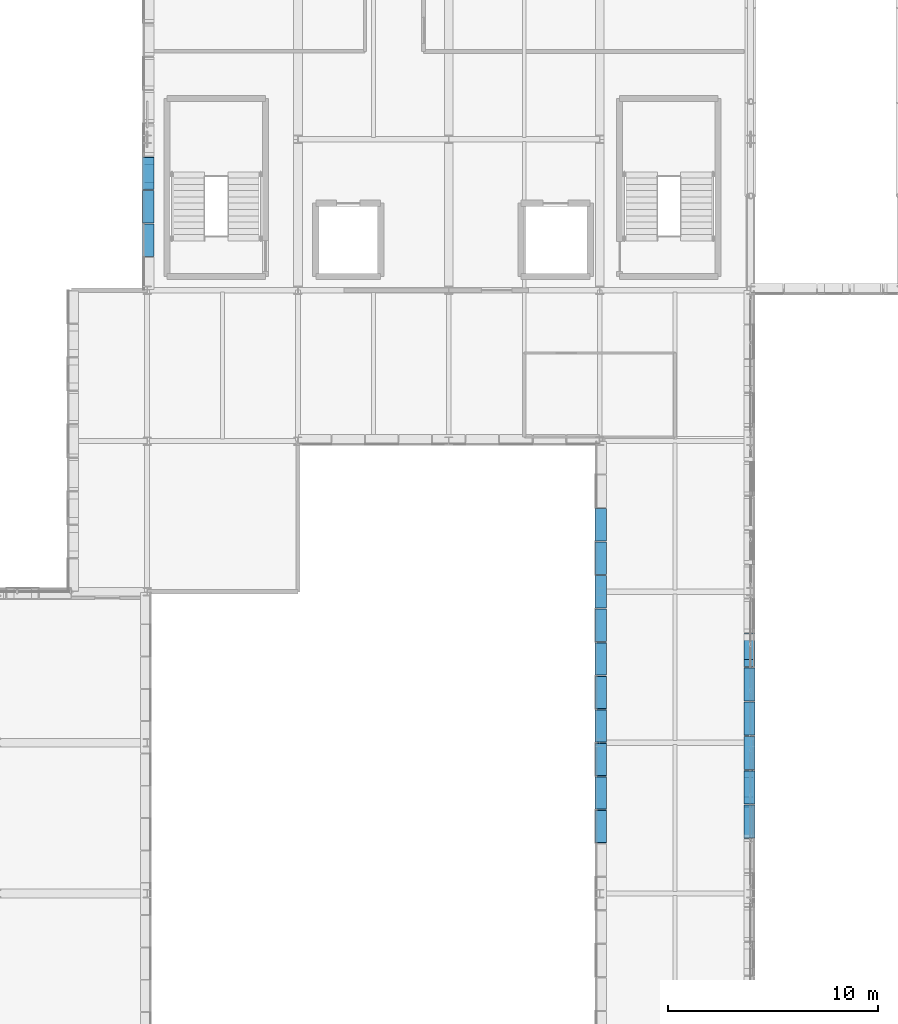
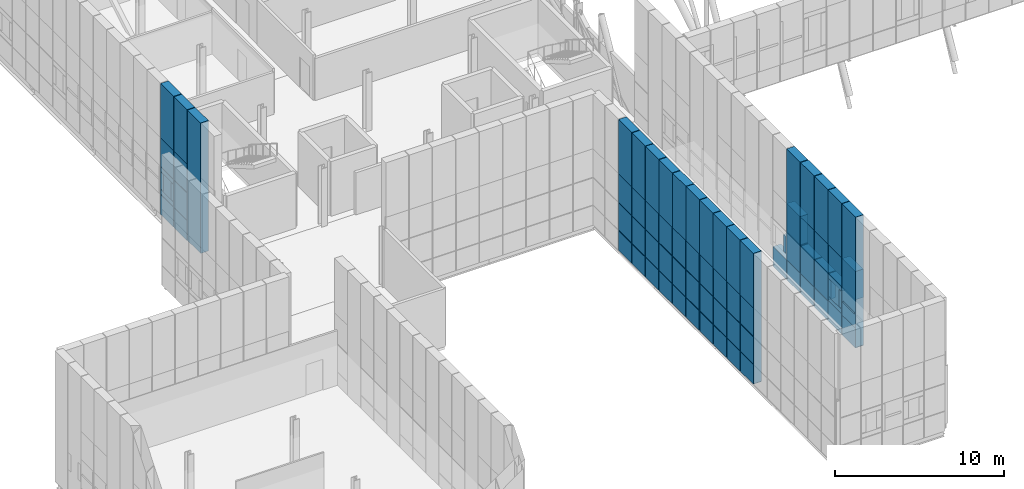
# One storey, part 112 of 144: 77 discrete accessories.
"""IFC4 building model written with IfcOpenShell, lengths in metres."""

from ifc_helpers import new_model, si_unit, direction, frame, origin, origin_2d, place, context, subcontext, project, spatial, rectangle, extrude, material, type_object, element, save


model = new_model("IFC4")

# Units and contexts
model_context = context("Model", 3, precision=1e-05, world=origin(), true_north=direction((0.0, 1.0)))
body_context = subcontext(model_context, "Body", "Model", "MODEL_VIEW")
ifc_project = project(units=[si_unit("LENGTHUNIT", "METRE"), si_unit("AREAUNIT", "SQUARE_METRE"), si_unit("VOLUMEUNIT", "CUBIC_METRE"), si_unit("PLANEANGLEUNIT", "RADIAN"), si_unit("MASSUNIT", "GRAM", prefix="KILO")], contexts=[model_context])

# Site, building, storey
site_placement = place(None, origin())
site = spatial("IfcSite", under=ifc_project, at=site_placement, CompositionType="ELEMENT")
building_placement = place(site_placement, origin())
building = spatial("IfcBuilding", under=site, at=building_placement, Name="Yarey Park Central Fire Station", CompositionType="ELEMENT")
storey_placement = place(building_placement, frame((0.0, 0.0, 10.199951171875)))
storey = spatial("IfcBuildingStorey", under=building, at=storey_placement, Name="L03", CompositionType="ELEMENT", Elevation=10.199951171875)

# Discrete accessories
ifc_material = material(Name="Stainless Steel AISI 316L", Category="steel")
discrete_accessory_type = type_object("IfcDiscreteAccessoryType", Name="ENV_BRK_SS1", PredefinedType="BRACKET", material=ifc_material)
discrete_accessory_1_placement = place(storey_placement, frame((57.550048828125, 32.236328125, -0.494873046875), z_axis=(0.0, 0.0, 1.0), x_axis=(1.0, 0.0, 0.0)))
element("IfcDiscreteAccessory", 1, at=discrete_accessory_1_placement, inside=storey, type_object=discrete_accessory_type, Name="BRK_PERF_L03_0352", PredefinedType="BRACKET", context=body_context, shape_type="SweptSolid", body=[
    extrude(rectangle(XDim=0.5400390625, YDim=1.576416015625, at=origin_2d()), origin(), (0.0, 0.0, 1.0), 1.419921875),
])
discrete_accessory_2_placement = place(storey_placement, frame((57.550048828125, 32.236328125, 1.8701171875), z_axis=(0.0, 0.0, 1.0), x_axis=(1.0, 0.0, 0.0)))
element("IfcDiscreteAccessory", 2, at=discrete_accessory_2_placement, inside=storey, type_object=discrete_accessory_type, Name="BRK_PERF_L03_0354", PredefinedType="BRACKET", context=body_context, shape_type="SweptSolid", body=[
    extrude(rectangle(XDim=0.5400390625, YDim=1.37646484375, at=origin_2d()), origin(), (0.0, 0.0, 1.0), 0.159912109375),
])
discrete_accessory_3_placement = place(storey_placement, frame((57.550048828125, 32.236328125, 2.97509765625), z_axis=(0.0, 0.0, 1.0), x_axis=(1.0, 0.0, 0.0)))
element("IfcDiscreteAccessory", 3, at=discrete_accessory_3_placement, inside=storey, type_object=discrete_accessory_type, Name="BRK_PERF_L03_0355", PredefinedType="BRACKET", context=body_context, shape_type="SweptSolid", body=[
    extrude(rectangle(XDim=0.5400390625, YDim=1.576416015625, at=origin_2d()), origin(), (0.0, 0.0, 1.0), 2.050048828125),
])
discrete_accessory_4_placement = place(storey_placement, frame((57.550048828125, 32.236328125, -0.4599609375), z_axis=(0.0, 0.0, 1.0), x_axis=(1.0, 0.0, 0.0)))
element("IfcDiscreteAccessory", 4, at=discrete_accessory_4_placement, inside=storey, type_object=discrete_accessory_type, Name="BRK_RAIL_L03_0358", PredefinedType="BRACKET", context=body_context, shape_type="SweptSolid", body=[
    extrude(rectangle(XDim=0.5400390625, YDim=1.596435546875, at=origin_2d()), origin(), (0.0, 0.0, 1.0), 9.419921875),
])
discrete_accessory_5_placement = place(storey_placement, frame((57.550048828125, 33.872802734375, -0.494873046875), z_axis=(0.0, 0.0, 1.0), x_axis=(1.0, 0.0, 0.0)))
element("IfcDiscreteAccessory", 5, at=discrete_accessory_5_placement, inside=storey, type_object=discrete_accessory_type, Name="BRK_PERF_L03_0359", PredefinedType="BRACKET", context=body_context, shape_type="SweptSolid", body=[
    extrude(rectangle(XDim=0.5400390625, YDim=1.576416015625, at=origin_2d()), origin(), (0.0, 0.0, 1.0), 1.419921875),
])
for number, where, z_axis, x_axis, name in (
    (6, (57.550048828125, 33.872802734375, 0.97021484375), (0.0, 0.0, 1.0), (1.0, 0.0, 0.0), "BRK_PERF_L03_0360"),
    (7, (57.550048828125, 33.872802734375, 2.60986328125), (0.0, 0.0, 1.0), (1.0, 0.0, 0.0), "BRK_PERF_L03_0361"),
):
    element("IfcDiscreteAccessory", number, at=place(storey_placement, frame(where, z_axis=z_axis, x_axis=x_axis)), inside=storey, type_object=discrete_accessory_type, Name=name, PredefinedType="BRACKET", context=body_context, shape_type="SweptSolid", body=[
        extrude(rectangle(XDim=0.5400390625, YDim=1.576416015625, at=origin_2d()), origin(), (0.0, 0.0, 1.0), 0.320068359375),
    ])
for number, where, z_axis, x_axis, name in (
    (8, (57.550048828125, 33.25439453125, 1.3349609375), (0.0, 0.0, 1.0), (1.0, 0.0, 0.0), "BRK_PERF_L03_0362"),
    (9, (57.550048828125, 34.490966796875, 1.3349609375), (0.0, 0.0, 1.0), (1.0, 0.0, 0.0), "BRK_PERF_L03_0363"),
):
    element("IfcDiscreteAccessory", number, at=place(storey_placement, frame(where, z_axis=z_axis, x_axis=x_axis)), inside=storey, type_object=discrete_accessory_type, Name=name, PredefinedType="BRACKET", context=body_context, shape_type="SweptSolid", body=[
        extrude(rectangle(XDim=0.5400390625, YDim=0.320068359375, at=origin_2d()), origin(), (0.0, 0.0, 1.0), 1.22998046875),
    ])
discrete_accessory_6_placement = place(storey_placement, frame((57.550048828125, 33.872802734375, 2.97509765625), z_axis=(0.0, 0.0, 1.0), x_axis=(1.0, 0.0, 0.0)))
element("IfcDiscreteAccessory", 10, at=discrete_accessory_6_placement, inside=storey, type_object=discrete_accessory_type, Name="BRK_PERF_L03_0364", PredefinedType="BRACKET", context=body_context, shape_type="SweptSolid", body=[
    extrude(rectangle(XDim=0.5400390625, YDim=1.576416015625, at=origin_2d()), origin(), (0.0, 0.0, 1.0), 2.050048828125),
])
discrete_accessory_7_placement = place(storey_placement, frame((57.550048828125, 33.872802734375, -0.4599609375), z_axis=(0.0, 0.0, 1.0), x_axis=(1.0, 0.0, 0.0)))
element("IfcDiscreteAccessory", 11, at=discrete_accessory_7_placement, inside=storey, type_object=discrete_accessory_type, Name="BRK_RAIL_L03_0369", PredefinedType="BRACKET", context=body_context, shape_type="SweptSolid", body=[
    extrude(rectangle(XDim=0.5400390625, YDim=1.596435546875, at=origin_2d()), origin(), (0.0, 0.0, 1.0), 9.419921875),
])
discrete_accessory_8_placement = place(storey_placement, frame((57.550048828125, 35.509033203125, -0.494873046875), z_axis=(0.0, 0.0, 1.0), x_axis=(1.0, 0.0, 0.0)))
element("IfcDiscreteAccessory", 12, at=discrete_accessory_8_placement, inside=storey, type_object=discrete_accessory_type, Name="BRK_PERF_L03_0370", PredefinedType="BRACKET", context=body_context, shape_type="SweptSolid", body=[
    extrude(rectangle(XDim=0.5400390625, YDim=1.576416015625, at=origin_2d()), origin(), (0.0, 0.0, 1.0), 1.419921875),
])
discrete_accessory_9_placement = place(storey_placement, frame((57.550048828125, 35.509033203125, 0.97509765625), z_axis=(0.0, 0.0, 1.0), x_axis=(1.0, 0.0, 0.0)))
element("IfcDiscreteAccessory", 13, at=discrete_accessory_9_placement, inside=storey, type_object=discrete_accessory_type, Name="BRK_PERF_L03_0371", PredefinedType="BRACKET", context=body_context, shape_type="SweptSolid", body=[
    extrude(rectangle(XDim=0.5400390625, YDim=1.576416015625, at=origin_2d()), origin(), (0.0, 0.0, 1.0), 1.949951171875),
])
discrete_accessory_10_placement = place(storey_placement, frame((57.550048828125, 35.509033203125, 2.97509765625), z_axis=(0.0, 0.0, 1.0), x_axis=(1.0, 0.0, 0.0)))
element("IfcDiscreteAccessory", 14, at=discrete_accessory_10_placement, inside=storey, type_object=discrete_accessory_type, Name="BRK_PERF_L03_0372", PredefinedType="BRACKET", context=body_context, shape_type="SweptSolid", body=[
    extrude(rectangle(XDim=0.5400390625, YDim=1.576416015625, at=origin_2d()), origin(), (0.0, 0.0, 1.0), 2.050048828125),
])
discrete_accessory_11_placement = place(storey_placement, frame((57.550048828125, 35.509033203125, -0.4599609375), z_axis=(0.0, 0.0, 1.0), x_axis=(1.0, 0.0, 0.0)))
element("IfcDiscreteAccessory", 15, at=discrete_accessory_11_placement, inside=storey, type_object=discrete_accessory_type, Name="BRK_RAIL_L03_0374", PredefinedType="BRACKET", context=body_context, shape_type="SweptSolid", body=[
    extrude(rectangle(XDim=0.5400390625, YDim=1.596435546875, at=origin_2d()), origin(), (0.0, 0.0, 1.0), 9.419921875),
])
discrete_accessory_12_placement = place(storey_placement, frame((57.550048828125, 37.1455078125, -0.494873046875), z_axis=(0.0, 0.0, 1.0), x_axis=(1.0, 0.0, 0.0)))
element("IfcDiscreteAccessory", 16, at=discrete_accessory_12_placement, inside=storey, type_object=discrete_accessory_type, Name="BRK_PERF_L03_0375", PredefinedType="BRACKET", context=body_context, shape_type="SweptSolid", body=[
    extrude(rectangle(XDim=0.5400390625, YDim=1.576416015625, at=origin_2d()), origin(), (0.0, 0.0, 1.0), 1.419921875),
])
discrete_accessory_13_placement = place(storey_placement, frame((57.550048828125, 37.1455078125, 0.97509765625), z_axis=(0.0, 0.0, 1.0), x_axis=(1.0, 0.0, 0.0)))
element("IfcDiscreteAccessory", 17, at=discrete_accessory_13_placement, inside=storey, type_object=discrete_accessory_type, Name="BRK_PERF_L03_0376", PredefinedType="BRACKET", context=body_context, shape_type="SweptSolid", body=[
    extrude(rectangle(XDim=0.5400390625, YDim=1.576416015625, at=origin_2d()), origin(), (0.0, 0.0, 1.0), 1.949951171875),
])
discrete_accessory_14_placement = place(storey_placement, frame((57.550048828125, 37.1455078125, 2.97509765625), z_axis=(0.0, 0.0, 1.0), x_axis=(1.0, 0.0, 0.0)))
element("IfcDiscreteAccessory", 18, at=discrete_accessory_14_placement, inside=storey, type_object=discrete_accessory_type, Name="BRK_PERF_L03_0377", PredefinedType="BRACKET", context=body_context, shape_type="SweptSolid", body=[
    extrude(rectangle(XDim=0.5400390625, YDim=1.576416015625, at=origin_2d()), origin(), (0.0, 0.0, 1.0), 2.050048828125),
])
discrete_accessory_15_placement = place(storey_placement, frame((57.550048828125, 37.1455078125, -0.4599609375), z_axis=(0.0, 0.0, 1.0), x_axis=(1.0, 0.0, 0.0)))
element("IfcDiscreteAccessory", 19, at=discrete_accessory_15_placement, inside=storey, type_object=discrete_accessory_type, Name="BRK_RAIL_L03_0379", PredefinedType="BRACKET", context=body_context, shape_type="SweptSolid", body=[
    extrude(rectangle(XDim=0.5400390625, YDim=1.596435546875, at=origin_2d()), origin(), (0.0, 0.0, 1.0), 9.419921875),
])
discrete_accessory_16_placement = place(storey_placement, frame((57.550048828125, 38.78173828125, -0.494873046875), z_axis=(0.0, 0.0, 1.0), x_axis=(1.0, 0.0, 0.0)))
element("IfcDiscreteAccessory", 20, at=discrete_accessory_16_placement, inside=storey, type_object=discrete_accessory_type, Name="BRK_PERF_L03_0380", PredefinedType="BRACKET", context=body_context, shape_type="SweptSolid", body=[
    extrude(rectangle(XDim=0.5400390625, YDim=1.576416015625, at=origin_2d()), origin(), (0.0, 0.0, 1.0), 1.419921875),
])
discrete_accessory_17_placement = place(storey_placement, frame((57.550048828125, 38.78173828125, 0.97509765625), z_axis=(0.0, 0.0, 1.0), x_axis=(1.0, 0.0, 0.0)))
element("IfcDiscreteAccessory", 21, at=discrete_accessory_17_placement, inside=storey, type_object=discrete_accessory_type, Name="BRK_PERF_L03_0381", PredefinedType="BRACKET", context=body_context, shape_type="SweptSolid", body=[
    extrude(rectangle(XDim=0.5400390625, YDim=1.576416015625, at=origin_2d()), origin(), (0.0, 0.0, 1.0), 1.949951171875),
])
discrete_accessory_18_placement = place(storey_placement, frame((57.550048828125, 38.78173828125, 2.97509765625), z_axis=(0.0, 0.0, 1.0), x_axis=(1.0, 0.0, 0.0)))
element("IfcDiscreteAccessory", 22, at=discrete_accessory_18_placement, inside=storey, type_object=discrete_accessory_type, Name="BRK_PERF_L03_0382", PredefinedType="BRACKET", context=body_context, shape_type="SweptSolid", body=[
    extrude(rectangle(XDim=0.5400390625, YDim=1.576416015625, at=origin_2d()), origin(), (0.0, 0.0, 1.0), 2.050048828125),
])
discrete_accessory_19_placement = place(storey_placement, frame((57.550048828125, 38.78173828125, -0.4599609375), z_axis=(0.0, 0.0, 1.0), x_axis=(1.0, 0.0, 0.0)))
element("IfcDiscreteAccessory", 23, at=discrete_accessory_19_placement, inside=storey, type_object=discrete_accessory_type, Name="BRK_RAIL_L03_0384", PredefinedType="BRACKET", context=body_context, shape_type="SweptSolid", body=[
    extrude(rectangle(XDim=0.5400390625, YDim=1.596435546875, at=origin_2d()), origin(), (0.0, 0.0, 1.0), 9.419921875),
])
discrete_accessory_20_placement = place(storey_placement, frame((57.550048828125, 40.418212890625, -0.494873046875), z_axis=(0.0, 0.0, 1.0), x_axis=(1.0, 0.0, 0.0)))
element("IfcDiscreteAccessory", 24, at=discrete_accessory_20_placement, inside=storey, type_object=discrete_accessory_type, Name="BRK_PERF_L03_0385", PredefinedType="BRACKET", context=body_context, shape_type="SweptSolid", body=[
    extrude(rectangle(XDim=0.5400390625, YDim=1.576416015625, at=origin_2d()), origin(), (0.0, 0.0, 1.0), 1.419921875),
])
discrete_accessory_21_placement = place(storey_placement, frame((57.550048828125, 39.800048828125, 1.3349609375), z_axis=(0.0, 0.0, 1.0), x_axis=(1.0, 0.0, 0.0)))
element("IfcDiscreteAccessory", 25, at=discrete_accessory_21_placement, inside=storey, type_object=discrete_accessory_type, Name="BRK_PERF_L03_0388", PredefinedType="BRACKET", context=body_context, shape_type="SweptSolid", body=[
    extrude(rectangle(XDim=0.5400390625, YDim=0.320068359375, at=origin_2d()), origin(), (0.0, 0.0, 1.0), 1.22998046875),
])
discrete_accessory_22_placement = place(storey_placement, frame((28.85009765625, 59.988525390625, -0.4599609375), z_axis=(0.0, 0.0, 1.0), x_axis=(1.0, 0.0, 0.0)))
element("IfcDiscreteAccessory", 26, at=discrete_accessory_22_placement, inside=storey, type_object=discrete_accessory_type, Name="BRK_RAIL_L03_0610", PredefinedType="BRACKET", context=body_context, shape_type="SweptSolid", body=[
    extrude(rectangle(XDim=0.5400390625, YDim=1.55224609375, at=origin_2d()), origin(), (0.0, 0.0, 1.0), 9.419921875),
])
discrete_accessory_23_placement = place(storey_placement, frame((28.85009765625, 61.580810546875, -0.494873046875), z_axis=(0.0, 0.0, 1.0), x_axis=(1.0, 0.0, 0.0)))
element("IfcDiscreteAccessory", 27, at=discrete_accessory_23_placement, inside=storey, type_object=discrete_accessory_type, Name="BRK_PERF_L03_0611", PredefinedType="BRACKET", context=body_context, shape_type="SweptSolid", body=[
    extrude(rectangle(XDim=0.5400390625, YDim=1.5322265625, at=origin_2d()), origin(), (0.0, 0.0, 1.0), 1.419921875),
])
discrete_accessory_24_placement = place(storey_placement, frame((28.85009765625, 61.580810546875, 0.97509765625), z_axis=(0.0, 0.0, 1.0), x_axis=(1.0, 0.0, 0.0)))
element("IfcDiscreteAccessory", 28, at=discrete_accessory_24_placement, inside=storey, type_object=discrete_accessory_type, Name="BRK_PERF_L03_0612", PredefinedType="BRACKET", context=body_context, shape_type="SweptSolid", body=[
    extrude(rectangle(XDim=0.5400390625, YDim=1.5322265625, at=origin_2d()), origin(), (0.0, 0.0, 1.0), 1.949951171875),
])
discrete_accessory_25_placement = place(storey_placement, frame((28.85009765625, 61.580810546875, 2.97509765625), z_axis=(0.0, 0.0, 1.0), x_axis=(1.0, 0.0, 0.0)))
element("IfcDiscreteAccessory", 29, at=discrete_accessory_25_placement, inside=storey, type_object=discrete_accessory_type, Name="BRK_PERF_L03_0613", PredefinedType="BRACKET", context=body_context, shape_type="SweptSolid", body=[
    extrude(rectangle(XDim=0.5400390625, YDim=1.5322265625, at=origin_2d()), origin(), (0.0, 0.0, 1.0), 2.050048828125),
])
discrete_accessory_26_placement = place(storey_placement, frame((28.85009765625, 61.580810546875, -0.4599609375), z_axis=(0.0, 0.0, 1.0), x_axis=(1.0, 0.0, 0.0)))
element("IfcDiscreteAccessory", 30, at=discrete_accessory_26_placement, inside=storey, type_object=discrete_accessory_type, Name="BRK_RAIL_L03_0615", PredefinedType="BRACKET", context=body_context, shape_type="SweptSolid", body=[
    extrude(rectangle(XDim=0.5400390625, YDim=1.55224609375, at=origin_2d()), origin(), (0.0, 0.0, 1.0), 9.419921875),
])
discrete_accessory_27_placement = place(storey_placement, frame((28.85009765625, 63.173095703125, -0.494873046875), z_axis=(0.0, 0.0, 1.0), x_axis=(1.0, 0.0, 0.0)))
element("IfcDiscreteAccessory", 31, at=discrete_accessory_27_placement, inside=storey, type_object=discrete_accessory_type, Name="BRK_PERF_L03_0616", PredefinedType="BRACKET", context=body_context, shape_type="SweptSolid", body=[
    extrude(rectangle(XDim=0.5400390625, YDim=1.5322265625, at=origin_2d()), origin(), (0.0, 0.0, 1.0), 1.419921875),
])
for number, where, z_axis, x_axis, name in (
    (32, (28.85009765625, 63.173095703125, 0.97021484375), (0.0, 0.0, 1.0), (1.0, 0.0, 0.0), "BRK_PERF_L03_0617"),
    (33, (28.85009765625, 63.173095703125, 2.60986328125), (0.0, 0.0, 1.0), (1.0, 0.0, 0.0), "BRK_PERF_L03_0618"),
):
    element("IfcDiscreteAccessory", number, at=place(storey_placement, frame(where, z_axis=z_axis, x_axis=x_axis)), inside=storey, type_object=discrete_accessory_type, Name=name, PredefinedType="BRACKET", context=body_context, shape_type="SweptSolid", body=[
        extrude(rectangle(XDim=0.5400390625, YDim=1.5322265625, at=origin_2d()), origin(), (0.0, 0.0, 1.0), 0.320068359375),
    ])
for number, where, z_axis, x_axis, name in (
    (34, (28.85009765625, 62.576904296875, 1.3349609375), (0.0, 0.0, 1.0), (1.0, 0.0, 0.0), "BRK_PERF_L03_0619"),
    (35, (28.85009765625, 63.769287109375, 1.3349609375), (0.0, 0.0, 1.0), (1.0, 0.0, 0.0), "BRK_PERF_L03_0620"),
):
    element("IfcDiscreteAccessory", number, at=place(storey_placement, frame(where, z_axis=z_axis, x_axis=x_axis)), inside=storey, type_object=discrete_accessory_type, Name=name, PredefinedType="BRACKET", context=body_context, shape_type="SweptSolid", body=[
        extrude(rectangle(XDim=0.5400390625, YDim=0.320068359375, at=origin_2d()), origin(), (0.0, 0.0, 1.0), 1.22998046875),
    ])
discrete_accessory_28_placement = place(storey_placement, frame((28.85009765625, 63.173095703125, 2.97509765625), z_axis=(0.0, 0.0, 1.0), x_axis=(1.0, 0.0, 0.0)))
element("IfcDiscreteAccessory", 36, at=discrete_accessory_28_placement, inside=storey, type_object=discrete_accessory_type, Name="BRK_PERF_L03_0621", PredefinedType="BRACKET", context=body_context, shape_type="SweptSolid", body=[
    extrude(rectangle(XDim=0.5400390625, YDim=1.5322265625, at=origin_2d()), origin(), (0.0, 0.0, 1.0), 2.050048828125),
])
discrete_accessory_29_placement = place(storey_placement, frame((28.85009765625, 63.173095703125, -0.4599609375), z_axis=(0.0, 0.0, 1.0), x_axis=(1.0, 0.0, 0.0)))
element("IfcDiscreteAccessory", 37, at=discrete_accessory_29_placement, inside=storey, type_object=discrete_accessory_type, Name="BRK_RAIL_L03_0626", PredefinedType="BRACKET", context=body_context, shape_type="SweptSolid", body=[
    extrude(rectangle(XDim=0.5400390625, YDim=1.55224609375, at=origin_2d()), origin(), (0.0, 0.0, 1.0), 9.419921875),
])
discrete_accessory_30_placement = place(storey_placement, frame((50.449951171875, 32.0, -0.494873046875), z_axis=(0.0, 0.0, 1.0), x_axis=(1.0, 0.0, 0.0)))
element("IfcDiscreteAccessory", 38, at=discrete_accessory_30_placement, inside=storey, type_object=discrete_accessory_type, Name="BRK_PERF_L03_1017", PredefinedType="BRACKET", context=body_context, shape_type="SweptSolid", body=[
    extrude(rectangle(XDim=0.5400390625, YDim=1.5400390625, at=origin_2d()), origin(), (0.0, 0.0, 1.0), 1.419921875),
])
discrete_accessory_31_placement = place(storey_placement, frame((50.449951171875, 32.0, 0.97509765625), z_axis=(0.0, 0.0, 1.0), x_axis=(1.0, 0.0, 0.0)))
element("IfcDiscreteAccessory", 39, at=discrete_accessory_31_placement, inside=storey, type_object=discrete_accessory_type, Name="BRK_PERF_L03_1018", PredefinedType="BRACKET", context=body_context, shape_type="SweptSolid", body=[
    extrude(rectangle(XDim=0.5400390625, YDim=1.5400390625, at=origin_2d()), origin(), (0.0, 0.0, 1.0), 1.949951171875),
])
discrete_accessory_32_placement = place(storey_placement, frame((50.449951171875, 32.0, 2.97509765625), z_axis=(0.0, 0.0, 1.0), x_axis=(1.0, 0.0, 0.0)))
element("IfcDiscreteAccessory", 40, at=discrete_accessory_32_placement, inside=storey, type_object=discrete_accessory_type, Name="BRK_PERF_L03_1019", PredefinedType="BRACKET", context=body_context, shape_type="SweptSolid", body=[
    extrude(rectangle(XDim=0.5400390625, YDim=1.5400390625, at=origin_2d()), origin(), (0.0, 0.0, 1.0), 2.050048828125),
])
discrete_accessory_33_placement = place(storey_placement, frame((50.449951171875, 32.0, -0.4599609375), z_axis=(0.0, 0.0, 1.0), x_axis=(1.0, 0.0, 0.0)))
element("IfcDiscreteAccessory", 41, at=discrete_accessory_33_placement, inside=storey, type_object=discrete_accessory_type, Name="BRK_RAIL_L03_1021", PredefinedType="BRACKET", context=body_context, shape_type="SweptSolid", body=[
    extrude(rectangle(XDim=0.5400390625, YDim=1.56005859375, at=origin_2d()), origin(), (0.0, 0.0, 1.0), 9.419921875),
])
discrete_accessory_34_placement = place(storey_placement, frame((50.449951171875, 33.60009765625, -0.494873046875), z_axis=(0.0, 0.0, 1.0), x_axis=(1.0, 0.0, 0.0)))
element("IfcDiscreteAccessory", 42, at=discrete_accessory_34_placement, inside=storey, type_object=discrete_accessory_type, Name="BRK_PERF_L03_1022", PredefinedType="BRACKET", context=body_context, shape_type="SweptSolid", body=[
    extrude(rectangle(XDim=0.5400390625, YDim=1.5400390625, at=origin_2d()), origin(), (0.0, 0.0, 1.0), 1.419921875),
])
discrete_accessory_35_placement = place(storey_placement, frame((50.449951171875, 33.60009765625, 0.97509765625), z_axis=(0.0, 0.0, 1.0), x_axis=(1.0, 0.0, 0.0)))
element("IfcDiscreteAccessory", 43, at=discrete_accessory_35_placement, inside=storey, type_object=discrete_accessory_type, Name="BRK_PERF_L03_1023", PredefinedType="BRACKET", context=body_context, shape_type="SweptSolid", body=[
    extrude(rectangle(XDim=0.5400390625, YDim=1.5400390625, at=origin_2d()), origin(), (0.0, 0.0, 1.0), 1.949951171875),
])
discrete_accessory_36_placement = place(storey_placement, frame((50.449951171875, 33.60009765625, 2.97509765625), z_axis=(0.0, 0.0, 1.0), x_axis=(1.0, 0.0, 0.0)))
element("IfcDiscreteAccessory", 44, at=discrete_accessory_36_placement, inside=storey, type_object=discrete_accessory_type, Name="BRK_PERF_L03_1024", PredefinedType="BRACKET", context=body_context, shape_type="SweptSolid", body=[
    extrude(rectangle(XDim=0.5400390625, YDim=1.5400390625, at=origin_2d()), origin(), (0.0, 0.0, 1.0), 2.050048828125),
])
discrete_accessory_37_placement = place(storey_placement, frame((50.449951171875, 33.60009765625, -0.4599609375), z_axis=(0.0, 0.0, 1.0), x_axis=(1.0, 0.0, 0.0)))
element("IfcDiscreteAccessory", 45, at=discrete_accessory_37_placement, inside=storey, type_object=discrete_accessory_type, Name="BRK_RAIL_L03_1026", PredefinedType="BRACKET", context=body_context, shape_type="SweptSolid", body=[
    extrude(rectangle(XDim=0.5400390625, YDim=1.56005859375, at=origin_2d()), origin(), (0.0, 0.0, 1.0), 9.419921875),
])
discrete_accessory_38_placement = place(storey_placement, frame((50.449951171875, 35.199951171875, -0.494873046875), z_axis=(0.0, 0.0, 1.0), x_axis=(1.0, 0.0, 0.0)))
element("IfcDiscreteAccessory", 46, at=discrete_accessory_38_placement, inside=storey, type_object=discrete_accessory_type, Name="BRK_PERF_L03_1027", PredefinedType="BRACKET", context=body_context, shape_type="SweptSolid", body=[
    extrude(rectangle(XDim=0.5400390625, YDim=1.5400390625, at=origin_2d()), origin(), (0.0, 0.0, 1.0), 1.419921875),
])
discrete_accessory_39_placement = place(storey_placement, frame((50.449951171875, 35.199951171875, 0.97509765625), z_axis=(0.0, 0.0, 1.0), x_axis=(1.0, 0.0, 0.0)))
element("IfcDiscreteAccessory", 47, at=discrete_accessory_39_placement, inside=storey, type_object=discrete_accessory_type, Name="BRK_PERF_L03_1028", PredefinedType="BRACKET", context=body_context, shape_type="SweptSolid", body=[
    extrude(rectangle(XDim=0.5400390625, YDim=1.5400390625, at=origin_2d()), origin(), (0.0, 0.0, 1.0), 1.949951171875),
])
discrete_accessory_40_placement = place(storey_placement, frame((50.449951171875, 35.199951171875, 2.97509765625), z_axis=(0.0, 0.0, 1.0), x_axis=(1.0, 0.0, 0.0)))
element("IfcDiscreteAccessory", 48, at=discrete_accessory_40_placement, inside=storey, type_object=discrete_accessory_type, Name="BRK_PERF_L03_1029", PredefinedType="BRACKET", context=body_context, shape_type="SweptSolid", body=[
    extrude(rectangle(XDim=0.5400390625, YDim=1.5400390625, at=origin_2d()), origin(), (0.0, 0.0, 1.0), 2.050048828125),
])
discrete_accessory_41_placement = place(storey_placement, frame((50.449951171875, 35.199951171875, -0.4599609375), z_axis=(0.0, 0.0, 1.0), x_axis=(1.0, 0.0, 0.0)))
element("IfcDiscreteAccessory", 49, at=discrete_accessory_41_placement, inside=storey, type_object=discrete_accessory_type, Name="BRK_RAIL_L03_1031", PredefinedType="BRACKET", context=body_context, shape_type="SweptSolid", body=[
    extrude(rectangle(XDim=0.5400390625, YDim=1.56005859375, at=origin_2d()), origin(), (0.0, 0.0, 1.0), 9.419921875),
])
discrete_accessory_42_placement = place(storey_placement, frame((50.449951171875, 36.800048828125, -0.494873046875), z_axis=(0.0, 0.0, 1.0), x_axis=(1.0, 0.0, 0.0)))
element("IfcDiscreteAccessory", 50, at=discrete_accessory_42_placement, inside=storey, type_object=discrete_accessory_type, Name="BRK_PERF_L03_1032", PredefinedType="BRACKET", context=body_context, shape_type="SweptSolid", body=[
    extrude(rectangle(XDim=0.5400390625, YDim=1.5400390625, at=origin_2d()), origin(), (0.0, 0.0, 1.0), 1.419921875),
])
discrete_accessory_43_placement = place(storey_placement, frame((50.449951171875, 36.800048828125, 0.97509765625), z_axis=(0.0, 0.0, 1.0), x_axis=(1.0, 0.0, 0.0)))
element("IfcDiscreteAccessory", 51, at=discrete_accessory_43_placement, inside=storey, type_object=discrete_accessory_type, Name="BRK_PERF_L03_1033", PredefinedType="BRACKET", context=body_context, shape_type="SweptSolid", body=[
    extrude(rectangle(XDim=0.5400390625, YDim=1.5400390625, at=origin_2d()), origin(), (0.0, 0.0, 1.0), 1.949951171875),
])
discrete_accessory_44_placement = place(storey_placement, frame((50.449951171875, 36.800048828125, 2.97509765625), z_axis=(0.0, 0.0, 1.0), x_axis=(1.0, 0.0, 0.0)))
element("IfcDiscreteAccessory", 52, at=discrete_accessory_44_placement, inside=storey, type_object=discrete_accessory_type, Name="BRK_PERF_L03_1034", PredefinedType="BRACKET", context=body_context, shape_type="SweptSolid", body=[
    extrude(rectangle(XDim=0.5400390625, YDim=1.5400390625, at=origin_2d()), origin(), (0.0, 0.0, 1.0), 2.050048828125),
])
discrete_accessory_45_placement = place(storey_placement, frame((50.449951171875, 36.800048828125, -0.4599609375), z_axis=(0.0, 0.0, 1.0), x_axis=(1.0, 0.0, 0.0)))
element("IfcDiscreteAccessory", 53, at=discrete_accessory_45_placement, inside=storey, type_object=discrete_accessory_type, Name="BRK_RAIL_L03_1036", PredefinedType="BRACKET", context=body_context, shape_type="SweptSolid", body=[
    extrude(rectangle(XDim=0.5400390625, YDim=1.56005859375, at=origin_2d()), origin(), (0.0, 0.0, 1.0), 9.419921875),
])
discrete_accessory_46_placement = place(storey_placement, frame((50.449951171875, 38.39990234375, -0.494873046875), z_axis=(0.0, 0.0, 1.0), x_axis=(1.0, 0.0, 0.0)))
element("IfcDiscreteAccessory", 54, at=discrete_accessory_46_placement, inside=storey, type_object=discrete_accessory_type, Name="BRK_PERF_L03_1037", PredefinedType="BRACKET", context=body_context, shape_type="SweptSolid", body=[
    extrude(rectangle(XDim=0.5400390625, YDim=1.5400390625, at=origin_2d()), origin(), (0.0, 0.0, 1.0), 1.419921875),
])
discrete_accessory_47_placement = place(storey_placement, frame((50.449951171875, 38.39990234375, 0.97509765625), z_axis=(0.0, 0.0, 1.0), x_axis=(1.0, 0.0, 0.0)))
element("IfcDiscreteAccessory", 55, at=discrete_accessory_47_placement, inside=storey, type_object=discrete_accessory_type, Name="BRK_PERF_L03_1038", PredefinedType="BRACKET", context=body_context, shape_type="SweptSolid", body=[
    extrude(rectangle(XDim=0.5400390625, YDim=1.5400390625, at=origin_2d()), origin(), (0.0, 0.0, 1.0), 1.949951171875),
])
discrete_accessory_48_placement = place(storey_placement, frame((50.449951171875, 38.39990234375, 2.97509765625), z_axis=(0.0, 0.0, 1.0), x_axis=(1.0, 0.0, 0.0)))
element("IfcDiscreteAccessory", 56, at=discrete_accessory_48_placement, inside=storey, type_object=discrete_accessory_type, Name="BRK_PERF_L03_1039", PredefinedType="BRACKET", context=body_context, shape_type="SweptSolid", body=[
    extrude(rectangle(XDim=0.5400390625, YDim=1.5400390625, at=origin_2d()), origin(), (0.0, 0.0, 1.0), 2.050048828125),
])
discrete_accessory_49_placement = place(storey_placement, frame((50.449951171875, 38.39990234375, -0.4599609375), z_axis=(0.0, 0.0, 1.0), x_axis=(1.0, 0.0, 0.0)))
element("IfcDiscreteAccessory", 57, at=discrete_accessory_49_placement, inside=storey, type_object=discrete_accessory_type, Name="BRK_RAIL_L03_1041", PredefinedType="BRACKET", context=body_context, shape_type="SweptSolid", body=[
    extrude(rectangle(XDim=0.5400390625, YDim=1.56005859375, at=origin_2d()), origin(), (0.0, 0.0, 1.0), 9.419921875),
])
discrete_accessory_50_placement = place(storey_placement, frame((50.449951171875, 40.0, -0.494873046875), z_axis=(0.0, 0.0, 1.0), x_axis=(1.0, 0.0, 0.0)))
element("IfcDiscreteAccessory", 58, at=discrete_accessory_50_placement, inside=storey, type_object=discrete_accessory_type, Name="BRK_PERF_L03_1042", PredefinedType="BRACKET", context=body_context, shape_type="SweptSolid", body=[
    extrude(rectangle(XDim=0.5400390625, YDim=1.5400390625, at=origin_2d()), origin(), (0.0, 0.0, 1.0), 1.419921875),
])
discrete_accessory_51_placement = place(storey_placement, frame((50.449951171875, 40.0, 0.97509765625), z_axis=(0.0, 0.0, 1.0), x_axis=(1.0, 0.0, 0.0)))
element("IfcDiscreteAccessory", 59, at=discrete_accessory_51_placement, inside=storey, type_object=discrete_accessory_type, Name="BRK_PERF_L03_1043", PredefinedType="BRACKET", context=body_context, shape_type="SweptSolid", body=[
    extrude(rectangle(XDim=0.5400390625, YDim=1.5400390625, at=origin_2d()), origin(), (0.0, 0.0, 1.0), 1.949951171875),
])
discrete_accessory_52_placement = place(storey_placement, frame((50.449951171875, 40.0, 2.97509765625), z_axis=(0.0, 0.0, 1.0), x_axis=(1.0, 0.0, 0.0)))
element("IfcDiscreteAccessory", 60, at=discrete_accessory_52_placement, inside=storey, type_object=discrete_accessory_type, Name="BRK_PERF_L03_1044", PredefinedType="BRACKET", context=body_context, shape_type="SweptSolid", body=[
    extrude(rectangle(XDim=0.5400390625, YDim=1.5400390625, at=origin_2d()), origin(), (0.0, 0.0, 1.0), 2.050048828125),
])
discrete_accessory_53_placement = place(storey_placement, frame((50.449951171875, 40.0, -0.4599609375), z_axis=(0.0, 0.0, 1.0), x_axis=(1.0, 0.0, 0.0)))
element("IfcDiscreteAccessory", 61, at=discrete_accessory_53_placement, inside=storey, type_object=discrete_accessory_type, Name="BRK_RAIL_L03_1046", PredefinedType="BRACKET", context=body_context, shape_type="SweptSolid", body=[
    extrude(rectangle(XDim=0.5400390625, YDim=1.56005859375, at=origin_2d()), origin(), (0.0, 0.0, 1.0), 9.419921875),
])
discrete_accessory_54_placement = place(storey_placement, frame((50.449951171875, 41.60009765625, -0.494873046875), z_axis=(0.0, 0.0, 1.0), x_axis=(1.0, 0.0, 0.0)))
element("IfcDiscreteAccessory", 62, at=discrete_accessory_54_placement, inside=storey, type_object=discrete_accessory_type, Name="BRK_PERF_L03_1047", PredefinedType="BRACKET", context=body_context, shape_type="SweptSolid", body=[
    extrude(rectangle(XDim=0.5400390625, YDim=1.5400390625, at=origin_2d()), origin(), (0.0, 0.0, 1.0), 1.419921875),
])
discrete_accessory_55_placement = place(storey_placement, frame((50.449951171875, 41.60009765625, 0.97509765625), z_axis=(0.0, 0.0, 1.0), x_axis=(1.0, 0.0, 0.0)))
element("IfcDiscreteAccessory", 63, at=discrete_accessory_55_placement, inside=storey, type_object=discrete_accessory_type, Name="BRK_PERF_L03_1048", PredefinedType="BRACKET", context=body_context, shape_type="SweptSolid", body=[
    extrude(rectangle(XDim=0.5400390625, YDim=1.5400390625, at=origin_2d()), origin(), (0.0, 0.0, 1.0), 1.949951171875),
])
discrete_accessory_56_placement = place(storey_placement, frame((50.449951171875, 41.60009765625, 2.97509765625), z_axis=(0.0, 0.0, 1.0), x_axis=(1.0, 0.0, 0.0)))
element("IfcDiscreteAccessory", 64, at=discrete_accessory_56_placement, inside=storey, type_object=discrete_accessory_type, Name="BRK_PERF_L03_1049", PredefinedType="BRACKET", context=body_context, shape_type="SweptSolid", body=[
    extrude(rectangle(XDim=0.5400390625, YDim=1.5400390625, at=origin_2d()), origin(), (0.0, 0.0, 1.0), 2.050048828125),
])
discrete_accessory_57_placement = place(storey_placement, frame((50.449951171875, 41.60009765625, -0.4599609375), z_axis=(0.0, 0.0, 1.0), x_axis=(1.0, 0.0, 0.0)))
element("IfcDiscreteAccessory", 65, at=discrete_accessory_57_placement, inside=storey, type_object=discrete_accessory_type, Name="BRK_RAIL_L03_1051", PredefinedType="BRACKET", context=body_context, shape_type="SweptSolid", body=[
    extrude(rectangle(XDim=0.5400390625, YDim=1.56005859375, at=origin_2d()), origin(), (0.0, 0.0, 1.0), 9.419921875),
])
discrete_accessory_58_placement = place(storey_placement, frame((50.449951171875, 43.199951171875, -0.494873046875), z_axis=(0.0, 0.0, 1.0), x_axis=(1.0, 0.0, 0.0)))
element("IfcDiscreteAccessory", 66, at=discrete_accessory_58_placement, inside=storey, type_object=discrete_accessory_type, Name="BRK_PERF_L03_1052", PredefinedType="BRACKET", context=body_context, shape_type="SweptSolid", body=[
    extrude(rectangle(XDim=0.5400390625, YDim=1.5400390625, at=origin_2d()), origin(), (0.0, 0.0, 1.0), 1.419921875),
])
discrete_accessory_59_placement = place(storey_placement, frame((50.449951171875, 43.199951171875, 0.97509765625), z_axis=(0.0, 0.0, 1.0), x_axis=(1.0, 0.0, 0.0)))
element("IfcDiscreteAccessory", 67, at=discrete_accessory_59_placement, inside=storey, type_object=discrete_accessory_type, Name="BRK_PERF_L03_1053", PredefinedType="BRACKET", context=body_context, shape_type="SweptSolid", body=[
    extrude(rectangle(XDim=0.5400390625, YDim=1.5400390625, at=origin_2d()), origin(), (0.0, 0.0, 1.0), 1.949951171875),
])
discrete_accessory_60_placement = place(storey_placement, frame((50.449951171875, 43.199951171875, 2.97509765625), z_axis=(0.0, 0.0, 1.0), x_axis=(1.0, 0.0, 0.0)))
element("IfcDiscreteAccessory", 68, at=discrete_accessory_60_placement, inside=storey, type_object=discrete_accessory_type, Name="BRK_PERF_L03_1054", PredefinedType="BRACKET", context=body_context, shape_type="SweptSolid", body=[
    extrude(rectangle(XDim=0.5400390625, YDim=1.5400390625, at=origin_2d()), origin(), (0.0, 0.0, 1.0), 2.050048828125),
])
discrete_accessory_61_placement = place(storey_placement, frame((50.449951171875, 43.199951171875, -0.4599609375), z_axis=(0.0, 0.0, 1.0), x_axis=(1.0, 0.0, 0.0)))
element("IfcDiscreteAccessory", 69, at=discrete_accessory_61_placement, inside=storey, type_object=discrete_accessory_type, Name="BRK_RAIL_L03_1056", PredefinedType="BRACKET", context=body_context, shape_type="SweptSolid", body=[
    extrude(rectangle(XDim=0.5400390625, YDim=1.56005859375, at=origin_2d()), origin(), (0.0, 0.0, 1.0), 9.419921875),
])
discrete_accessory_62_placement = place(storey_placement, frame((50.449951171875, 44.800048828125, -0.494873046875), z_axis=(0.0, 0.0, 1.0), x_axis=(1.0, 0.0, 0.0)))
element("IfcDiscreteAccessory", 70, at=discrete_accessory_62_placement, inside=storey, type_object=discrete_accessory_type, Name="BRK_PERF_L03_1057", PredefinedType="BRACKET", context=body_context, shape_type="SweptSolid", body=[
    extrude(rectangle(XDim=0.5400390625, YDim=1.5400390625, at=origin_2d()), origin(), (0.0, 0.0, 1.0), 1.419921875),
])
discrete_accessory_63_placement = place(storey_placement, frame((50.449951171875, 44.800048828125, 0.97509765625), z_axis=(0.0, 0.0, 1.0), x_axis=(1.0, 0.0, 0.0)))
element("IfcDiscreteAccessory", 71, at=discrete_accessory_63_placement, inside=storey, type_object=discrete_accessory_type, Name="BRK_PERF_L03_1058", PredefinedType="BRACKET", context=body_context, shape_type="SweptSolid", body=[
    extrude(rectangle(XDim=0.5400390625, YDim=1.5400390625, at=origin_2d()), origin(), (0.0, 0.0, 1.0), 1.949951171875),
])
discrete_accessory_64_placement = place(storey_placement, frame((50.449951171875, 44.800048828125, 2.97509765625), z_axis=(0.0, 0.0, 1.0), x_axis=(1.0, 0.0, 0.0)))
element("IfcDiscreteAccessory", 72, at=discrete_accessory_64_placement, inside=storey, type_object=discrete_accessory_type, Name="BRK_PERF_L03_1059", PredefinedType="BRACKET", context=body_context, shape_type="SweptSolid", body=[
    extrude(rectangle(XDim=0.5400390625, YDim=1.5400390625, at=origin_2d()), origin(), (0.0, 0.0, 1.0), 2.050048828125),
])
discrete_accessory_65_placement = place(storey_placement, frame((50.449951171875, 44.800048828125, -0.4599609375), z_axis=(0.0, 0.0, 1.0), x_axis=(1.0, 0.0, 0.0)))
element("IfcDiscreteAccessory", 73, at=discrete_accessory_65_placement, inside=storey, type_object=discrete_accessory_type, Name="BRK_RAIL_L03_1061", PredefinedType="BRACKET", context=body_context, shape_type="SweptSolid", body=[
    extrude(rectangle(XDim=0.5400390625, YDim=1.56005859375, at=origin_2d()), origin(), (0.0, 0.0, 1.0), 9.419921875),
])
discrete_accessory_66_placement = place(storey_placement, frame((50.449951171875, 46.39990234375, -0.494873046875), z_axis=(0.0, 0.0, 1.0), x_axis=(1.0, 0.0, 0.0)))
element("IfcDiscreteAccessory", 74, at=discrete_accessory_66_placement, inside=storey, type_object=discrete_accessory_type, Name="BRK_PERF_L03_1062", PredefinedType="BRACKET", context=body_context, shape_type="SweptSolid", body=[
    extrude(rectangle(XDim=0.5400390625, YDim=1.5400390625, at=origin_2d()), origin(), (0.0, 0.0, 1.0), 1.419921875),
])
discrete_accessory_67_placement = place(storey_placement, frame((50.449951171875, 46.39990234375, 0.97509765625), z_axis=(0.0, 0.0, 1.0), x_axis=(1.0, 0.0, 0.0)))
element("IfcDiscreteAccessory", 75, at=discrete_accessory_67_placement, inside=storey, type_object=discrete_accessory_type, Name="BRK_PERF_L03_1063", PredefinedType="BRACKET", context=body_context, shape_type="SweptSolid", body=[
    extrude(rectangle(XDim=0.5400390625, YDim=1.5400390625, at=origin_2d()), origin(), (0.0, 0.0, 1.0), 1.949951171875),
])
discrete_accessory_68_placement = place(storey_placement, frame((50.449951171875, 46.39990234375, 2.97509765625), z_axis=(0.0, 0.0, 1.0), x_axis=(1.0, 0.0, 0.0)))
element("IfcDiscreteAccessory", 76, at=discrete_accessory_68_placement, inside=storey, type_object=discrete_accessory_type, Name="BRK_PERF_L03_1064", PredefinedType="BRACKET", context=body_context, shape_type="SweptSolid", body=[
    extrude(rectangle(XDim=0.5400390625, YDim=1.5400390625, at=origin_2d()), origin(), (0.0, 0.0, 1.0), 2.050048828125),
])
discrete_accessory_69_placement = place(storey_placement, frame((50.449951171875, 46.39990234375, -0.4599609375), z_axis=(0.0, 0.0, 1.0), x_axis=(1.0, 0.0, 0.0)))
element("IfcDiscreteAccessory", 77, at=discrete_accessory_69_placement, inside=storey, type_object=discrete_accessory_type, Name="BRK_RAIL_L03_1066", PredefinedType="BRACKET", context=body_context, shape_type="SweptSolid", body=[
    extrude(rectangle(XDim=0.5400390625, YDim=1.56005859375, at=origin_2d()), origin(), (0.0, 0.0, 1.0), 9.419921875),
])

save(model, "model.ifc")
